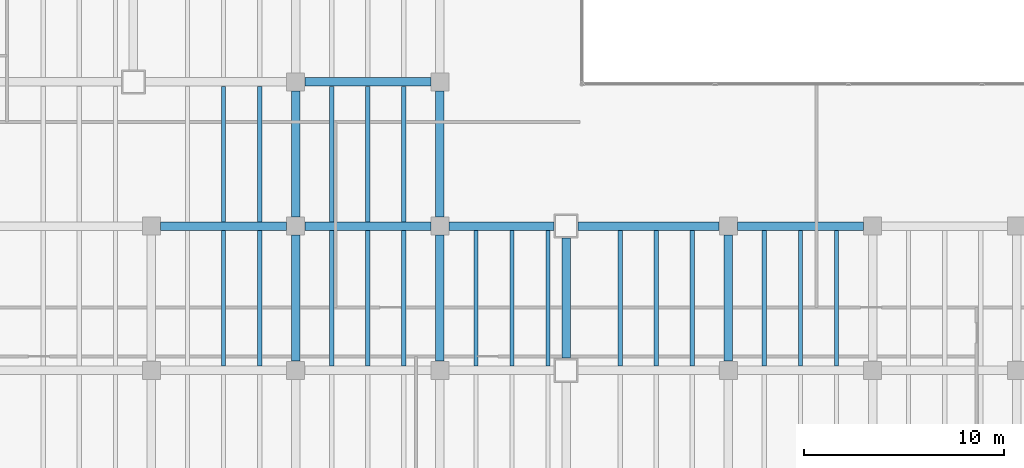
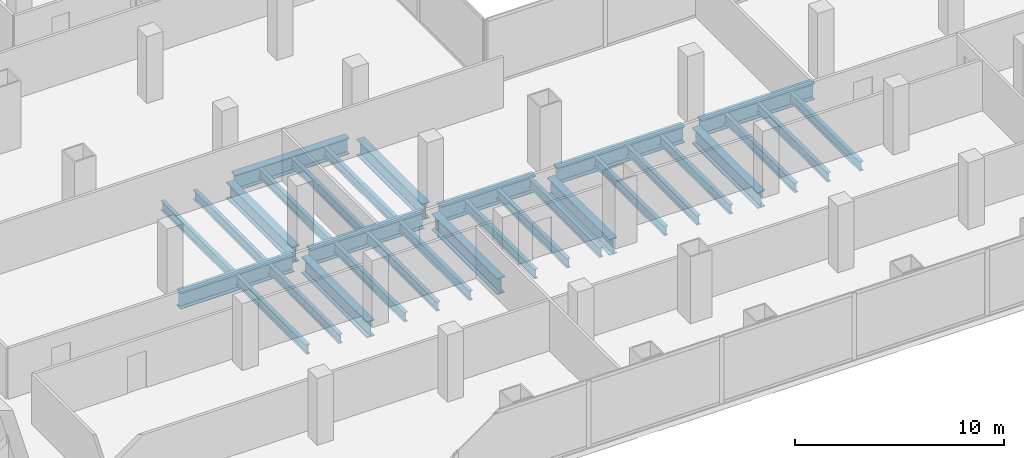
# One storey, part 8 of 29: 31 beams.
"""IFC4 building model written with IfcOpenShell, lengths in metres."""

from ifc_helpers import new_model, si_unit, direction, frame, origin, origin_2d, place, context, subcontext, project, spatial, i_section, extrude, material, material_profile, profile_set, type_object, element, save


model = new_model("IFC4")

# Units and contexts
model_context = context("Model", 3, precision=1e-05, world=origin(), true_north=direction((0.0, 1.0)))
body_context = subcontext(model_context, "Body", "Model", "MODEL_VIEW")
ifc_project = project(units=[si_unit("LENGTHUNIT", "METRE"), si_unit("AREAUNIT", "SQUARE_METRE"), si_unit("VOLUMEUNIT", "CUBIC_METRE"), si_unit("PLANEANGLEUNIT", "RADIAN"), si_unit("MASSUNIT", "GRAM", prefix="KILO")], contexts=[model_context])

# Site, building, storey
site_placement = place(None, origin())
site = spatial("IfcSite", under=ifc_project, at=site_placement, CompositionType="ELEMENT")
building_placement = place(site_placement, origin())
building = spatial("IfcBuilding", under=site, at=building_placement, Name="Cobrela Telecom Tower", CompositionType="ELEMENT")
storey_placement = place(building_placement, frame((0.0, 0.0, 13.64990234375)))
storey = spatial("IfcBuildingStorey", under=building, at=storey_placement, Name="L03", CompositionType="ELEMENT", Elevation=13.64990234375)

# Beams
ifc_material = material(Name="Steel ASTM A992 Grade 50", Category="steel")
ifc_material_profile_1 = material_profile(ifc_material, i_section(OverallWidth=0.424072265625, OverallDepth=0.947021484375, WebThickness=0.02392578125, FlangeThickness=0.042724609375, FilletRadius=0.02392578125, at=origin_2d()), Name="W36X302")
ifc_profile_set_1 = profile_set([ifc_material_profile_1], Name="Steel ASTM A992 Grade 50")
beam_type_1 = type_object("IfcBeamType", Name="BM-GIRD-01", PredefinedType="USERDEFINED", material=ifc_profile_set_1)
for number, where, z_axis, x_axis, name in (
    (1, (29.2548828125, 21.60009765625, -0.7734375), (1.0, 0.0, 0.0), (0.0, 1.0, 0.0), "L03 Primary Girder X30"),
    (2, (36.455078125, 21.60009765625, -0.7734375), (1.0, 0.0, 0.0), (0.0, 1.0, 0.0), "L03 Primary Girder X31"),
):
    element("IfcBeam", number, at=place(storey_placement, frame(where, z_axis=z_axis, x_axis=x_axis)), inside=storey, type_object=beam_type_1, Name=name, ObjectType="GIRDER", PredefinedType="USERDEFINED", context=body_context, shape_type="SweptSolid", body=[
        extrude(i_section(OverallWidth=0.424072265625, OverallDepth=0.947021484375, WebThickness=0.02392578125, FlangeThickness=0.042724609375, FilletRadius=0.02392578125, at=origin_2d()), origin(), (0.0, 0.0, 1.0), 6.2900390625),
    ])
beam_1_placement = place(storey_placement, frame((43.655029296875, 21.60009765625, -0.7734375), z_axis=(1.0, 0.0, 0.0), x_axis=(0.0, 1.0, 0.0)))
element("IfcBeam", 3, at=beam_1_placement, inside=storey, type_object=beam_type_1, Name="L03 Primary Girder X32", ObjectType="GIRDER", PredefinedType="USERDEFINED", context=body_context, shape_type="SweptSolid", body=[
    extrude(i_section(OverallWidth=0.424072265625, OverallDepth=0.947021484375, WebThickness=0.02392578125, FlangeThickness=0.042724609375, FilletRadius=0.02392578125, at=origin_2d()), origin(), (0.0, 0.0, 1.0), 5.239990234375),
])
beam_2_placement = place(storey_placement, frame((50.10498046875, 21.60009765625, -0.7734375), z_axis=(1.0, 0.0, 0.0), x_axis=(0.0, 1.0, 0.0)))
element("IfcBeam", 4, at=beam_2_placement, inside=storey, type_object=beam_type_1, Name="L03 Primary Girder X33", ObjectType="GIRDER", PredefinedType="USERDEFINED", context=body_context, shape_type="SweptSolid", body=[
    extrude(i_section(OverallWidth=0.424072265625, OverallDepth=0.947021484375, WebThickness=0.02392578125, FlangeThickness=0.042724609375, FilletRadius=0.02392578125, at=origin_2d()), origin(), (0.0, 0.0, 1.0), 7.0400390625),
])
for number, where, z_axis, x_axis, name in (
    (5, (58.054931640625, 21.60009765625, -0.7734375), (1.0, 0.0, 0.0), (0.0, 1.0, 0.0), "L03 Primary Girder X34"),
    (6, (36.455078125, 28.800048828125, -0.7734375), (1.0, 0.0, 0.0), (0.0, 1.0, 0.0), "L03 Primary Girder X40"),
    (7, (36.0, 14.85498046875, -0.7734375), (0.0, 1.0, 0.0), (-1.0, 0.0, 0.0), "L03 Primary Girder Y73"),
    (8, (36.0, 22.054931640625, -0.7734375), (0.0, 1.0, 0.0), (-1.0, 0.0, 0.0), "L03 Primary Girder Y74"),
    (9, (43.199951171875, 14.85498046875, -0.7734375), (0.0, 1.0, 0.0), (-1.0, 0.0, 0.0), "L03 Primary Girder Y80"),
    (10, (43.199951171875, 22.054931640625, -0.7734375), (0.0, 1.0, 0.0), (-1.0, 0.0, 0.0), "L03 Primary Girder Y81"),
):
    element("IfcBeam", number, at=place(storey_placement, frame(where, z_axis=z_axis, x_axis=x_axis)), inside=storey, type_object=beam_type_1, Name=name, ObjectType="GIRDER", PredefinedType="USERDEFINED", context=body_context, shape_type="SweptSolid", body=[
        extrude(i_section(OverallWidth=0.424072265625, OverallDepth=0.947021484375, WebThickness=0.02392578125, FlangeThickness=0.042724609375, FilletRadius=0.02392578125, at=origin_2d()), origin(), (0.0, 0.0, 1.0), 6.2900390625),
    ])
beam_3_placement = place(storey_placement, frame((49.5, 15.0048828125, -0.7734375), z_axis=(0.0, 1.0, 0.0), x_axis=(-1.0, 0.0, 0.0)))
element("IfcBeam", 11, at=beam_3_placement, inside=storey, type_object=beam_type_1, Name="L03 Primary Girder Y87", ObjectType="GIRDER", PredefinedType="USERDEFINED", context=body_context, shape_type="SweptSolid", body=[
    extrude(i_section(OverallWidth=0.424072265625, OverallDepth=0.947021484375, WebThickness=0.02392578125, FlangeThickness=0.042724609375, FilletRadius=0.02392578125, at=origin_2d()), origin(), (0.0, 0.0, 1.0), 5.990234375),
])
beam_4_placement = place(storey_placement, frame((57.60009765625, 14.85498046875, -0.7734375), z_axis=(0.0, 1.0, 0.0), x_axis=(-1.0, 0.0, 0.0)))
element("IfcBeam", 12, at=beam_4_placement, inside=storey, type_object=beam_type_1, Name="L03 Primary Girder Y90", ObjectType="GIRDER", PredefinedType="USERDEFINED", context=body_context, shape_type="SweptSolid", body=[
    extrude(i_section(OverallWidth=0.424072265625, OverallDepth=0.947021484375, WebThickness=0.02392578125, FlangeThickness=0.042724609375, FilletRadius=0.02392578125, at=origin_2d()), origin(), (0.0, 0.0, 1.0), 6.2900390625),
])
ifc_material_profile_2 = material_profile(ifc_material, i_section(OverallWidth=0.212890625, OverallDepth=0.549072265625, WebThickness=0.0146484375, FlangeThickness=0.023681640625, FilletRadius=0.013916015625, at=origin_2d()), Name="W21X93")
ifc_profile_set_2 = profile_set([ifc_material_profile_2], Name="Steel ASTM A992 Grade 50")
beam_type_2 = type_object("IfcBeamType", Name="BM-JOIST-01", PredefinedType="JOIST", material=ifc_profile_set_2)
for number, where, z_axis, x_axis, name in (
    (13, (32.39990234375, 14.616943359375, -0.574462890625), (0.0, 1.0, 0.0), (-1.0, 0.0, 0.0), "L03 Secondary Composite Floor Beam J60"),
    (14, (32.39990234375, 21.81689453125, -0.574462890625), (0.0, 1.0, 0.0), (-1.0, 0.0, 0.0), "L03 Secondary Composite Floor Beam J61"),
    (15, (34.199951171875, 14.616943359375, -0.574462890625), (0.0, 1.0, 0.0), (-1.0, 0.0, 0.0), "L03 Secondary Composite Floor Beam J65"),
    (16, (34.199951171875, 21.81689453125, -0.574462890625), (0.0, 1.0, 0.0), (-1.0, 0.0, 0.0), "L03 Secondary Composite Floor Beam J66"),
    (17, (37.800048828125, 14.616943359375, -0.574462890625), (0.0, 1.0, 0.0), (-1.0, 0.0, 0.0), "L03 Secondary Composite Floor Beam J72"),
    (18, (37.800048828125, 21.81689453125, -0.574462890625), (0.0, 1.0, 0.0), (-1.0, 0.0, 0.0), "L03 Secondary Composite Floor Beam J73"),
    (19, (39.60009765625, 14.616943359375, -0.574462890625), (0.0, 1.0, 0.0), (-1.0, 0.0, 0.0), "L03 Secondary Composite Floor Beam J79"),
    (20, (39.60009765625, 21.81689453125, -0.574462890625), (0.0, 1.0, 0.0), (-1.0, 0.0, 0.0), "L03 Secondary Composite Floor Beam J80"),
    (21, (41.39990234375, 14.616943359375, -0.574462890625), (0.0, 1.0, 0.0), (-1.0, 0.0, 0.0), "L03 Secondary Composite Floor Beam J86"),
    (22, (41.39990234375, 21.81689453125, -0.574462890625), (0.0, 1.0, 0.0), (-1.0, 0.0, 0.0), "L03 Secondary Composite Floor Beam J87"),
    (23, (45.0, 14.616943359375, -0.574462890625), (0.0, 1.0, 0.0), (-1.0, 0.0, 0.0), "L03 Secondary Composite Floor Beam J93"),
    (24, (46.800048828125, 14.616943359375, -0.574462890625), (0.0, 1.0, 0.0), (-1.0, 0.0, 0.0), "L03 Secondary Composite Floor Beam J96"),
    (25, (48.60009765625, 14.616943359375, -0.574462890625), (0.0, 1.0, 0.0), (-1.0, 0.0, 0.0), "L03 Secondary Composite Floor Beam J99"),
    (26, (52.199951171875, 14.616943359375, -0.574462890625), (0.0, 1.0, 0.0), (-1.0, 0.0, 0.0), "L03 Secondary Composite Floor Beam J102"),
    (27, (54.0, 14.616943359375, -0.574462890625), (0.0, 1.0, 0.0), (-1.0, 0.0, 0.0), "L03 Secondary Composite Floor Beam J105"),
    (28, (55.800048828125, 14.616943359375, -0.574462890625), (0.0, 1.0, 0.0), (-1.0, 0.0, 0.0), "L03 Secondary Composite Floor Beam J108"),
    (29, (59.39990234375, 14.616943359375, -0.574462890625), (0.0, 1.0, 0.0), (-1.0, 0.0, 0.0), "L03 Secondary Composite Floor Beam J111"),
    (30, (61.199951171875, 14.616943359375, -0.574462890625), (0.0, 1.0, 0.0), (-1.0, 0.0, 0.0), "L03 Secondary Composite Floor Beam J114"),
    (31, (63.0, 14.616943359375, -0.574462890625), (0.0, 1.0, 0.0), (-1.0, 0.0, 0.0), "L03 Secondary Composite Floor Beam J117"),
):
    element("IfcBeam", number, at=place(storey_placement, frame(where, z_axis=z_axis, x_axis=x_axis)), inside=storey, type_object=beam_type_2, Name=name, PredefinedType="JOIST", context=body_context, shape_type="SweptSolid", body=[
        extrude(i_section(OverallWidth=0.212890625, OverallDepth=0.549072265625, WebThickness=0.0146484375, FlangeThickness=0.023681640625, FilletRadius=0.013916015625, at=origin_2d()), origin(), (0.0, 0.0, 1.0), 6.76611328125),
    ])

save(model, "model.ifc")
